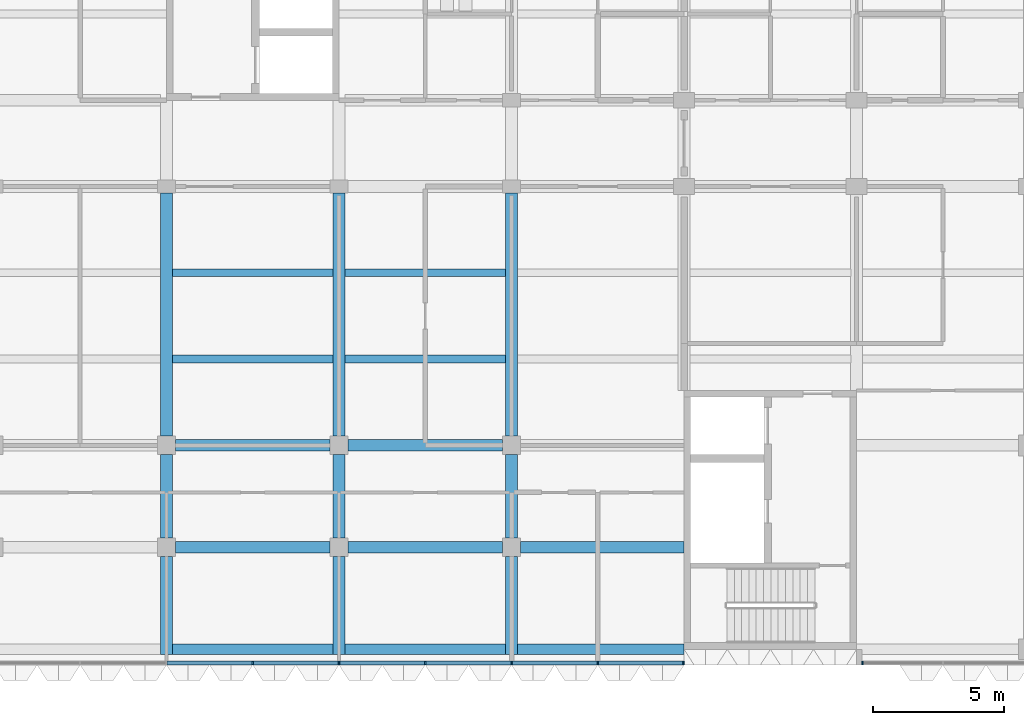
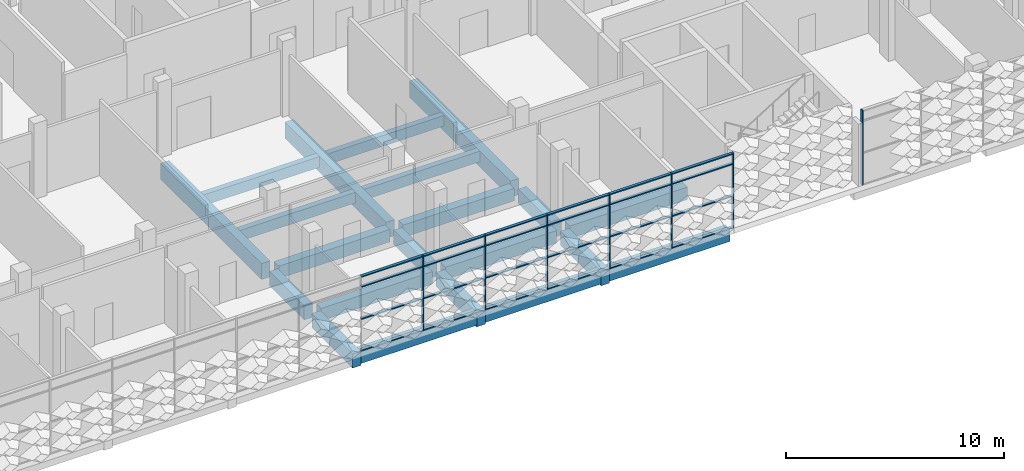
# One storey, part 6 of 61: 31 members, 21 beams, 2 elements without a shape of their own.
"""IFC4 building model written with IfcOpenShell, lengths in metres."""

from ifc_helpers import new_model, si_unit, direction, frame, origin, origin_2d, place, context, subcontext, project, spatial, rectangle, extrude, material, material_profile, profile_set, type_object, element, aggregate, save


model = new_model("IFC4")

# Units and contexts
model_context = context("Model", 3, precision=1e-05, world=origin(), true_north=direction((0.0, 1.0)))
body_context = subcontext(model_context, "Body", "Model", "MODEL_VIEW")
ifc_project = project(units=[si_unit("LENGTHUNIT", "METRE"), si_unit("AREAUNIT", "SQUARE_METRE"), si_unit("VOLUMEUNIT", "CUBIC_METRE"), si_unit("PLANEANGLEUNIT", "RADIAN"), si_unit("MASSUNIT", "GRAM", prefix="KILO")], contexts=[model_context])

# Site, building, storey
site_placement = place(None, origin())
site = spatial("IfcSite", under=ifc_project, at=site_placement, CompositionType="ELEMENT")
building_placement = place(site_placement, origin())
building = spatial("IfcBuilding", under=site, at=building_placement, Name="Lantern Court Research Institute", CompositionType="ELEMENT")
storey_placement = place(building_placement, frame((0.0, 0.0, 23.39990234375)))
storey = spatial("IfcBuildingStorey", under=building, at=storey_placement, Name="L05", CompositionType="ELEMENT", Elevation=23.39990234375)

# Curtain wall, members
ifc_material_1 = material(Name="Aluminium alloy 6063-T6", Category="aluminium")
curtain_wall_type_1 = type_object("IfcCurtainWallType", Name="Curtain wall 53400 x 4200 x 150 aluminium frame", PredefinedType="NOTDEFINED", material=ifc_material_1)
curtain_wall_1_placement = place(storey_placement, origin())
curtain_wall_1 = element("IfcCurtainWall", 1, at=curtain_wall_1_placement, inside=storey, type_object=curtain_wall_type_1, Name="Curtain wall CW072", PredefinedType="NOTDEFINED")
ifc_material_2 = material(Name="Aluminium alloy 6063-T6", Category="aluminium")
ifc_material_profile_1 = material_profile(ifc_material_2, rectangle(XDim=0.14990234375, YDim=0.06005859375, at=origin_2d()), Name="Mullion 150 x 60")
ifc_profile_set_1 = profile_set([ifc_material_profile_1], Name="Aluminium alloy 6063-T6")
member_type_1 = type_object("IfcMemberType", Name="Mullion 150 x 60 aluminium", PredefinedType="MULLION", material=ifc_profile_set_1)
member_1_placement = place(storey_placement, frame((36.300048828125, -8.324951171875, 0.0), z_axis=(0.0, 0.0, 1.0), x_axis=(0.0, -1.0, 0.0)))
member_1 = element("IfcMember", 2, at=member_1_placement, type_object=member_type_1, Name="CW072 mullion 12", PredefinedType="MULLION", context=body_context, shape_type="SweptSolid", body=[
    extrude(rectangle(XDim=0.14990234375, YDim=0.06005859375, at=origin_2d()), origin(), (0.0, 0.0, 1.0), 4.2001953125),
])
member_2_placement = place(storey_placement, frame((39.60009765625, -8.324951171875, 0.0), z_axis=(0.0, 0.0, 1.0), x_axis=(0.0, -1.0, 0.0)))
member_2 = element("IfcMember", 3, at=member_2_placement, type_object=member_type_1, Name="CW072 mullion 13", PredefinedType="MULLION", context=body_context, shape_type="SweptSolid", body=[
    extrude(rectangle(XDim=0.14990234375, YDim=0.06005859375, at=origin_2d()), origin(), (0.0, 0.0, 1.0), 4.2001953125),
])
member_3_placement = place(storey_placement, frame((42.89990234375, -8.324951171875, 0.0), z_axis=(0.0, 0.0, 1.0), x_axis=(0.0, -1.0, 0.0)))
member_3 = element("IfcMember", 4, at=member_3_placement, type_object=member_type_1, Name="CW072 mullion 14", PredefinedType="MULLION", context=body_context, shape_type="SweptSolid", body=[
    extrude(rectangle(XDim=0.14990234375, YDim=0.06005859375, at=origin_2d()), origin(), (0.0, 0.0, 1.0), 4.2001953125),
])
member_4_placement = place(storey_placement, frame((46.199951171875, -8.324951171875, 0.0), z_axis=(0.0, 0.0, 1.0), x_axis=(0.0, -1.0, 0.0)))
member_4 = element("IfcMember", 5, at=member_4_placement, type_object=member_type_1, Name="CW072 mullion 15", PredefinedType="MULLION", context=body_context, shape_type="SweptSolid", body=[
    extrude(rectangle(XDim=0.14990234375, YDim=0.06005859375, at=origin_2d()), origin(), (0.0, 0.0, 1.0), 4.2001953125),
])
member_5_placement = place(storey_placement, frame((49.5, -8.324951171875, 0.0), z_axis=(0.0, 0.0, 1.0), x_axis=(0.0, -1.0, 0.0)))
member_5 = element("IfcMember", 6, at=member_5_placement, type_object=member_type_1, Name="CW072 mullion 16", PredefinedType="MULLION", context=body_context, shape_type="SweptSolid", body=[
    extrude(rectangle(XDim=0.14990234375, YDim=0.06005859375, at=origin_2d()), origin(), (0.0, 0.0, 1.0), 4.2001953125),
])
member_6_placement = place(storey_placement, frame((52.77001953125, -8.324951171875, 0.0), z_axis=(0.0, 0.0, 1.0), x_axis=(0.0, -1.0, 0.0)))
member_6 = element("IfcMember", 7, at=member_6_placement, type_object=member_type_1, Name="CW072 mullion 17", PredefinedType="MULLION", context=body_context, shape_type="SweptSolid", body=[
    extrude(rectangle(XDim=0.14990234375, YDim=0.06005859375, at=origin_2d()), origin(), (0.0, 0.0, 1.0), 4.2001953125),
])

# Curtain wall, member
ifc_material_3 = material(Name="Aluminium alloy 6063-T6", Category="aluminium")
curtain_wall_type_2 = type_object("IfcCurtainWallType", Name="Curtain wall 20200 x 4200 x 150 aluminium frame", PredefinedType="NOTDEFINED", material=ifc_material_3)
curtain_wall_2_placement = place(storey_placement, origin())
curtain_wall_2 = element("IfcCurtainWall", 8, at=curtain_wall_2_placement, inside=storey, type_object=curtain_wall_type_2, Name="Curtain wall CW076", PredefinedType="NOTDEFINED")
member_7_placement = place(storey_placement, frame((59.6298828125, -8.324951171875, 0.0), z_axis=(0.0, 0.0, 1.0), x_axis=(0.0, -1.0, 0.0)))
member_7 = element("IfcMember", 9, at=member_7_placement, type_object=member_type_1, Name="CW076 mullion 1", PredefinedType="MULLION", context=body_context, shape_type="SweptSolid", body=[
    extrude(rectangle(XDim=0.14990234375, YDim=0.06005859375, at=origin_2d()), origin(), (0.0, 0.0, 1.0), 4.2001953125),
])
aggregate(curtain_wall_2, [member_7])

# Beams
ifc_material_4 = material(Name="Concrete C40/50", Category="concrete")
ifc_material_profile_2 = material_profile(ifc_material_4, rectangle(XDim=0.449951171875, YDim=0.699951171875, at=origin_2d()), Name="RC beam 450 x 700")
ifc_profile_set_2 = profile_set([ifc_material_profile_2], Name="Concrete C40/50")
beam_type_1 = type_object("IfcBeamType", Name="RC beam 450 x 700", PredefinedType="BEAM", material=ifc_profile_set_2)
beam_1_placement = place(storey_placement, frame((33.35009765625, -3.89990234375, -0.64990234375), z_axis=(1.0, 0.0, 0.0), x_axis=(0.0, 1.0, 0.0)))
element("IfcBeam", 10, at=beam_1_placement, inside=storey, type_object=beam_type_1, Name="Beam L05 grid Y/6-7", PredefinedType="BEAM", context=body_context, shape_type="SweptSolid", body=[
    extrude(rectangle(XDim=0.449951171875, YDim=0.699951171875, at=origin_2d()), origin(), (0.0, 0.0, 1.0), 5.89990234375),
])
beam_2_placement = place(storey_placement, frame((39.949951171875, -3.89990234375, -0.64990234375), z_axis=(1.0, 0.0, 0.0), x_axis=(0.0, 1.0, 0.0)))
element("IfcBeam", 11, at=beam_2_placement, inside=storey, type_object=beam_type_1, Name="Beam L05 grid Y/7-8", PredefinedType="BEAM", context=body_context, shape_type="SweptSolid", body=[
    extrude(rectangle(XDim=0.449951171875, YDim=0.699951171875, at=origin_2d()), origin(), (0.0, 0.0, 1.0), 5.900146484375),
])
beam_3_placement = place(storey_placement, frame((46.550048828125, -3.89990234375, -0.64990234375), z_axis=(1.0, 0.0, 0.0), x_axis=(0.0, 1.0, 0.0)))
element("IfcBeam", 12, at=beam_3_placement, inside=storey, type_object=beam_type_1, Name="Beam L05 grid Y/8-9", PredefinedType="BEAM", context=body_context, shape_type="SweptSolid", body=[
    extrude(rectangle(XDim=0.449951171875, YDim=0.699951171875, at=origin_2d()), origin(), (0.0, 0.0, 1.0), 6.25),
])
beam_4_placement = place(storey_placement, frame((33.35009765625, 0.0, -0.64990234375), z_axis=(1.0, 0.0, 0.0), x_axis=(0.0, 1.0, 0.0)))
element("IfcBeam", 13, at=beam_4_placement, inside=storey, type_object=beam_type_1, Name="Beam L05 grid A/6-7", PredefinedType="BEAM", context=body_context, shape_type="SweptSolid", body=[
    extrude(rectangle(XDim=0.449951171875, YDim=0.699951171875, at=origin_2d()), origin(), (0.0, 0.0, 1.0), 5.89990234375),
])
beam_5_placement = place(storey_placement, frame((39.949951171875, 0.0, -0.64990234375), z_axis=(1.0, 0.0, 0.0), x_axis=(0.0, 1.0, 0.0)))
element("IfcBeam", 14, at=beam_5_placement, inside=storey, type_object=beam_type_1, Name="Beam L05 grid A/7-8", PredefinedType="BEAM", context=body_context, shape_type="SweptSolid", body=[
    extrude(rectangle(XDim=0.449951171875, YDim=0.699951171875, at=origin_2d()), origin(), (0.0, 0.0, 1.0), 5.900146484375),
])
ifc_material_5 = material(Name="Concrete C40/50", Category="concrete")
ifc_material_profile_3 = material_profile(ifc_material_5, rectangle(XDim=0.449951171875, YDim=0.800048828125, at=origin_2d()), Name="RC beam 450 x 800")
ifc_profile_set_3 = profile_set([ifc_material_profile_3], Name="Concrete C40/50")
beam_type_2 = type_object("IfcBeamType", Name="RC cantilever beam 450 x 800", PredefinedType="BEAM", material=ifc_profile_set_3)
for number, where, z_axis, x_axis, name in (
    (15, (33.0, -4.25, -0.699951171875), (0.0, -1.0, 0.0), (1.0, 0.0, 0.0), "Cantilever beam L05 grid 6/Y-tip"),
    (16, (39.60009765625, -4.25, -0.699951171875), (0.0, -1.0, 0.0), (1.0, 0.0, 0.0), "Cantilever beam L05 grid 7/Y-tip"),
    (17, (46.199951171875, -4.25, -0.699951171875), (0.0, -1.0, 0.0), (1.0, 0.0, 0.0), "Cantilever beam L05 grid 8/Y-tip"),
):
    element("IfcBeam", number, at=place(storey_placement, frame(where, z_axis=z_axis, x_axis=x_axis)), inside=storey, type_object=beam_type_2, Name=name, PredefinedType="BEAM", context=body_context, shape_type="SweptSolid", body=[
        extrude(rectangle(XDim=0.449951171875, YDim=0.800048828125, at=origin_2d()), origin(), (0.0, 0.0, 1.0), 3.75),
    ])
ifc_material_6 = material(Name="Concrete C40/50", Category="concrete")
ifc_material_profile_4 = material_profile(ifc_material_6, rectangle(XDim=0.39990234375, YDim=0.699951171875, at=origin_2d()), Name="RC beam 400 x 700")
ifc_profile_set_4 = profile_set([ifc_material_profile_4], Name="Concrete C40/50")
beam_type_3 = type_object("IfcBeamType", Name="RC edge beam 400 x 700", PredefinedType="BEAM", material=ifc_profile_set_4)
beam_6_placement = place(storey_placement, frame((33.22509765625, -7.800048828125, -0.64990234375), z_axis=(1.0, 0.0, 0.0), x_axis=(0.0, 1.0, 0.0)))
element("IfcBeam", 18, at=beam_6_placement, inside=storey, type_object=beam_type_3, Name="Edge beam L05 grid tip/6-7", PredefinedType="BEAM", context=body_context, shape_type="SweptSolid", body=[
    extrude(rectangle(XDim=0.39990234375, YDim=0.699951171875, at=origin_2d()), origin(), (0.0, 0.0, 1.0), 6.14990234375),
])
beam_7_placement = place(storey_placement, frame((39.824951171875, -7.800048828125, -0.64990234375), z_axis=(1.0, 0.0, 0.0), x_axis=(0.0, 1.0, 0.0)))
element("IfcBeam", 19, at=beam_7_placement, inside=storey, type_object=beam_type_3, Name="Edge beam L05 grid tip/7-8", PredefinedType="BEAM", context=body_context, shape_type="SweptSolid", body=[
    extrude(rectangle(XDim=0.39990234375, YDim=0.699951171875, at=origin_2d()), origin(), (0.0, 0.0, 1.0), 6.150146484375),
])
beam_8_placement = place(storey_placement, frame((46.425048828125, -7.800048828125, -0.64990234375), z_axis=(1.0, 0.0, 0.0), x_axis=(0.0, 1.0, 0.0)))
element("IfcBeam", 20, at=beam_8_placement, inside=storey, type_object=beam_type_3, Name="Edge beam L05 grid tip/8-9", PredefinedType="BEAM", context=body_context, shape_type="SweptSolid", body=[
    extrude(rectangle(XDim=0.39990234375, YDim=0.699951171875, at=origin_2d()), origin(), (0.0, 0.0, 1.0), 6.375),
])
ifc_material_7 = material(Name="Concrete C40/50", Category="concrete")
ifc_material_profile_5 = material_profile(ifc_material_7, rectangle(XDim=0.449951171875, YDim=0.800048828125, at=origin_2d()), Name="RC beam 450 x 800")
ifc_profile_set_5 = profile_set([ifc_material_profile_5], Name="Concrete C40/50")
beam_type_4 = type_object("IfcBeamType", Name="RC girder 450 x 800", PredefinedType="BEAM", material=ifc_profile_set_5)
for number, where, z_axis, x_axis, name in (
    (21, (33.0, -3.550048828125, -0.699951171875), (0.0, 1.0, 0.0), (-1.0, 0.0, 0.0), "Girder L05 grid 6/Y-A"),
    (22, (39.60009765625, -3.550048828125, -0.699951171875), (0.0, 1.0, 0.0), (-1.0, 0.0, 0.0), "Girder L05 grid 7/Y-A"),
    (23, (46.199951171875, -3.550048828125, -0.699951171875), (0.0, 1.0, 0.0), (-1.0, 0.0, 0.0), "Girder L05 grid 8/Y-A"),
):
    element("IfcBeam", number, at=place(storey_placement, frame(where, z_axis=z_axis, x_axis=x_axis)), inside=storey, type_object=beam_type_4, Name=name, PredefinedType="BEAM", context=body_context, shape_type="SweptSolid", body=[
        extrude(rectangle(XDim=0.449951171875, YDim=0.800048828125, at=origin_2d()), origin(), (0.0, 0.0, 1.0), 3.199951171875),
    ])
ifc_material_8 = material(Name="Concrete C40/50", Category="concrete")
ifc_material_profile_6 = material_profile(ifc_material_8, rectangle(XDim=0.449951171875, YDim=0.89990234375, at=origin_2d()), Name="RC beam 450 x 900")
ifc_profile_set_6 = profile_set([ifc_material_profile_6], Name="Concrete C40/50")
beam_type_5 = type_object("IfcBeamType", Name="RC girder 450 x 900", PredefinedType="BEAM", material=ifc_profile_set_6)
for number, where, z_axis, x_axis, name in (
    (24, (33.0, 0.35009765625, -0.75), (0.0, 1.0, 0.0), (-1.0, 0.0, 0.0), "Girder L05 grid 6/A-B"),
    (25, (39.60009765625, 0.35009765625, -0.75), (0.0, 1.0, 0.0), (-1.0, 0.0, 0.0), "Girder L05 grid 7/A-B"),
    (26, (46.199951171875, 0.35009765625, -0.75), (0.0, 1.0, 0.0), (-1.0, 0.0, 0.0), "Girder L05 grid 8/A-B"),
):
    element("IfcBeam", number, at=place(storey_placement, frame(where, z_axis=z_axis, x_axis=x_axis)), inside=storey, type_object=beam_type_5, Name=name, PredefinedType="BEAM", context=body_context, shape_type="SweptSolid", body=[
        extrude(rectangle(XDim=0.449951171875, YDim=0.89990234375, at=origin_2d()), origin(), (0.0, 0.0, 1.0), 9.2998046875),
    ])
ifc_material_9 = material(Name="Concrete C40/50", Category="concrete")
ifc_material_profile_7 = material_profile(ifc_material_9, rectangle(XDim=0.300048828125, YDim=0.60009765625, at=origin_2d()), Name="RC beam 300 x 600")
ifc_profile_set_7 = profile_set([ifc_material_profile_7], Name="Concrete C40/50")
beam_type_6 = type_object("IfcBeamType", Name="RC secondary beam 300 x 600", PredefinedType="BEAM", material=ifc_profile_set_7)
beam_9_placement = place(storey_placement, frame((33.22509765625, 3.300048828125, -0.599853515625), z_axis=(1.0, 0.0, 0.0), x_axis=(0.0, 1.0, 0.0)))
element("IfcBeam", 27, at=beam_9_placement, inside=storey, type_object=beam_type_6, Name="Secondary beam L05 grids 6-7 / A-B, line 1", PredefinedType="BEAM", context=body_context, shape_type="SweptSolid", body=[
    extrude(rectangle(XDim=0.300048828125, YDim=0.60009765625, at=origin_2d()), origin(), (0.0, 0.0, 1.0), 6.14990234375),
])
beam_10_placement = place(storey_placement, frame((39.824951171875, 3.300048828125, -0.599853515625), z_axis=(1.0, 0.0, 0.0), x_axis=(0.0, 1.0, 0.0)))
element("IfcBeam", 28, at=beam_10_placement, inside=storey, type_object=beam_type_6, Name="Secondary beam L05 grids 7-8 / A-B, line 1", PredefinedType="BEAM", context=body_context, shape_type="SweptSolid", body=[
    extrude(rectangle(XDim=0.300048828125, YDim=0.60009765625, at=origin_2d()), origin(), (0.0, 0.0, 1.0), 6.150146484375),
])
beam_11_placement = place(storey_placement, frame((33.22509765625, 6.60009765625, -0.599853515625), z_axis=(1.0, 0.0, 0.0), x_axis=(0.0, 1.0, 0.0)))
element("IfcBeam", 29, at=beam_11_placement, inside=storey, type_object=beam_type_6, Name="Secondary beam L05 grids 6-7 / A-B, line 2", PredefinedType="BEAM", context=body_context, shape_type="SweptSolid", body=[
    extrude(rectangle(XDim=0.300048828125, YDim=0.60009765625, at=origin_2d()), origin(), (0.0, 0.0, 1.0), 6.14990234375),
])
beam_12_placement = place(storey_placement, frame((39.824951171875, 6.60009765625, -0.599853515625), z_axis=(1.0, 0.0, 0.0), x_axis=(0.0, 1.0, 0.0)))
element("IfcBeam", 30, at=beam_12_placement, inside=storey, type_object=beam_type_6, Name="Secondary beam L05 grids 7-8 / A-B, line 2", PredefinedType="BEAM", context=body_context, shape_type="SweptSolid", body=[
    extrude(rectangle(XDim=0.300048828125, YDim=0.60009765625, at=origin_2d()), origin(), (0.0, 0.0, 1.0), 6.150146484375),
])

# Member
ifc_material_10 = material(Name="Aluminium alloy 6063-T6", Category="aluminium")
ifc_material_profile_8 = material_profile(ifc_material_10, rectangle(XDim=0.14990234375, YDim=0.06005859375, at=origin_2d()), Name="Transom 150 x 60")
ifc_profile_set_8 = profile_set([ifc_material_profile_8], Name="Aluminium alloy 6063-T6")
member_type_2 = type_object("IfcMemberType", Name="Transom 150 x 60 aluminium", PredefinedType="USERDEFINED", material=ifc_profile_set_8)
member_8_placement = place(storey_placement, frame((36.27001953125, -8.324951171875, 0.030029296875), z_axis=(-1.0, 0.0, 0.0), x_axis=(0.0, -1.0, 0.0)))
member_8 = element("IfcMember", 31, at=member_8_placement, type_object=member_type_2, Name="CW072 transom 11.1", ObjectType="TRANSOM", PredefinedType="USERDEFINED", context=body_context, shape_type="SweptSolid", body=[
    extrude(rectangle(XDim=0.14990234375, YDim=0.06005859375, at=origin_2d()), origin(), (0.0, 0.0, 1.0), 3.239990234375),
])

member_9_placement = place(storey_placement, frame((36.27001953125, -8.324951171875, 1.800048828125), z_axis=(-1.0, 0.0, 0.0), x_axis=(0.0, -1.0, 0.0)))
member_9 = element("IfcMember", 32, at=member_9_placement, type_object=member_type_2, Name="CW072 transom 11.2", ObjectType="TRANSOM", PredefinedType="USERDEFINED", context=body_context, shape_type="SweptSolid", body=[
    extrude(rectangle(XDim=0.14990234375, YDim=0.06005859375, at=origin_2d()), origin(), (0.0, 0.0, 1.0), 3.239990234375),
])

member_10_placement = place(storey_placement, frame((36.27001953125, -8.324951171875, 3.60009765625), z_axis=(-1.0, 0.0, 0.0), x_axis=(0.0, -1.0, 0.0)))
member_10 = element("IfcMember", 33, at=member_10_placement, type_object=member_type_2, Name="CW072 transom 11.3", ObjectType="TRANSOM", PredefinedType="USERDEFINED", context=body_context, shape_type="SweptSolid", body=[
    extrude(rectangle(XDim=0.14990234375, YDim=0.06005859375, at=origin_2d()), origin(), (0.0, 0.0, 1.0), 3.239990234375),
])

member_11_placement = place(storey_placement, frame((36.27001953125, -8.324951171875, 4.170166015625), z_axis=(-1.0, 0.0, 0.0), x_axis=(0.0, -1.0, 0.0)))
member_11 = element("IfcMember", 34, at=member_11_placement, type_object=member_type_2, Name="CW072 transom 11.4", ObjectType="TRANSOM", PredefinedType="USERDEFINED", context=body_context, shape_type="SweptSolid", body=[
    extrude(rectangle(XDim=0.14990234375, YDim=0.06005859375, at=origin_2d()), origin(), (0.0, 0.0, 1.0), 3.239990234375),
])

member_12_placement = place(storey_placement, frame((39.570068359375, -8.324951171875, 0.030029296875), z_axis=(-1.0, 0.0, 0.0), x_axis=(0.0, -1.0, 0.0)))
member_12 = element("IfcMember", 35, at=member_12_placement, type_object=member_type_2, Name="CW072 transom 12.1", ObjectType="TRANSOM", PredefinedType="USERDEFINED", context=body_context, shape_type="SweptSolid", body=[
    extrude(rectangle(XDim=0.14990234375, YDim=0.06005859375, at=origin_2d()), origin(), (0.0, 0.0, 1.0), 3.239990234375),
])

member_13_placement = place(storey_placement, frame((39.570068359375, -8.324951171875, 1.800048828125), z_axis=(-1.0, 0.0, 0.0), x_axis=(0.0, -1.0, 0.0)))
member_13 = element("IfcMember", 36, at=member_13_placement, type_object=member_type_2, Name="CW072 transom 12.2", ObjectType="TRANSOM", PredefinedType="USERDEFINED", context=body_context, shape_type="SweptSolid", body=[
    extrude(rectangle(XDim=0.14990234375, YDim=0.06005859375, at=origin_2d()), origin(), (0.0, 0.0, 1.0), 3.239990234375),
])

member_14_placement = place(storey_placement, frame((39.570068359375, -8.324951171875, 3.60009765625), z_axis=(-1.0, 0.0, 0.0), x_axis=(0.0, -1.0, 0.0)))
member_14 = element("IfcMember", 37, at=member_14_placement, type_object=member_type_2, Name="CW072 transom 12.3", ObjectType="TRANSOM", PredefinedType="USERDEFINED", context=body_context, shape_type="SweptSolid", body=[
    extrude(rectangle(XDim=0.14990234375, YDim=0.06005859375, at=origin_2d()), origin(), (0.0, 0.0, 1.0), 3.239990234375),
])

member_15_placement = place(storey_placement, frame((39.570068359375, -8.324951171875, 4.170166015625), z_axis=(-1.0, 0.0, 0.0), x_axis=(0.0, -1.0, 0.0)))
member_15 = element("IfcMember", 38, at=member_15_placement, type_object=member_type_2, Name="CW072 transom 12.4", ObjectType="TRANSOM", PredefinedType="USERDEFINED", context=body_context, shape_type="SweptSolid", body=[
    extrude(rectangle(XDim=0.14990234375, YDim=0.06005859375, at=origin_2d()), origin(), (0.0, 0.0, 1.0), 3.239990234375),
])

member_16_placement = place(storey_placement, frame((42.8701171875, -8.324951171875, 0.030029296875), z_axis=(-1.0, 0.0, 0.0), x_axis=(0.0, -1.0, 0.0)))
member_16 = element("IfcMember", 39, at=member_16_placement, type_object=member_type_2, Name="CW072 transom 13.1", ObjectType="TRANSOM", PredefinedType="USERDEFINED", context=body_context, shape_type="SweptSolid", body=[
    extrude(rectangle(XDim=0.14990234375, YDim=0.06005859375, at=origin_2d()), origin(), (0.0, 0.0, 1.0), 3.240234375),
])

member_17_placement = place(storey_placement, frame((42.8701171875, -8.324951171875, 1.800048828125), z_axis=(-1.0, 0.0, 0.0), x_axis=(0.0, -1.0, 0.0)))
member_17 = element("IfcMember", 40, at=member_17_placement, type_object=member_type_2, Name="CW072 transom 13.2", ObjectType="TRANSOM", PredefinedType="USERDEFINED", context=body_context, shape_type="SweptSolid", body=[
    extrude(rectangle(XDim=0.14990234375, YDim=0.06005859375, at=origin_2d()), origin(), (0.0, 0.0, 1.0), 3.240234375),
])

member_18_placement = place(storey_placement, frame((42.8701171875, -8.324951171875, 3.60009765625), z_axis=(-1.0, 0.0, 0.0), x_axis=(0.0, -1.0, 0.0)))
member_18 = element("IfcMember", 41, at=member_18_placement, type_object=member_type_2, Name="CW072 transom 13.3", ObjectType="TRANSOM", PredefinedType="USERDEFINED", context=body_context, shape_type="SweptSolid", body=[
    extrude(rectangle(XDim=0.14990234375, YDim=0.06005859375, at=origin_2d()), origin(), (0.0, 0.0, 1.0), 3.240234375),
])

member_19_placement = place(storey_placement, frame((42.8701171875, -8.324951171875, 4.170166015625), z_axis=(-1.0, 0.0, 0.0), x_axis=(0.0, -1.0, 0.0)))
member_19 = element("IfcMember", 42, at=member_19_placement, type_object=member_type_2, Name="CW072 transom 13.4", ObjectType="TRANSOM", PredefinedType="USERDEFINED", context=body_context, shape_type="SweptSolid", body=[
    extrude(rectangle(XDim=0.14990234375, YDim=0.06005859375, at=origin_2d()), origin(), (0.0, 0.0, 1.0), 3.240234375),
])

member_20_placement = place(storey_placement, frame((46.169921875, -8.324951171875, 0.030029296875), z_axis=(-1.0, 0.0, 0.0), x_axis=(0.0, -1.0, 0.0)))
member_20 = element("IfcMember", 43, at=member_20_placement, type_object=member_type_2, Name="CW072 transom 14.1", ObjectType="TRANSOM", PredefinedType="USERDEFINED", context=body_context, shape_type="SweptSolid", body=[
    extrude(rectangle(XDim=0.14990234375, YDim=0.06005859375, at=origin_2d()), origin(), (0.0, 0.0, 1.0), 3.239990234375),
])

member_21_placement = place(storey_placement, frame((46.169921875, -8.324951171875, 1.800048828125), z_axis=(-1.0, 0.0, 0.0), x_axis=(0.0, -1.0, 0.0)))
member_21 = element("IfcMember", 44, at=member_21_placement, type_object=member_type_2, Name="CW072 transom 14.2", ObjectType="TRANSOM", PredefinedType="USERDEFINED", context=body_context, shape_type="SweptSolid", body=[
    extrude(rectangle(XDim=0.14990234375, YDim=0.06005859375, at=origin_2d()), origin(), (0.0, 0.0, 1.0), 3.239990234375),
])

member_22_placement = place(storey_placement, frame((46.169921875, -8.324951171875, 3.60009765625), z_axis=(-1.0, 0.0, 0.0), x_axis=(0.0, -1.0, 0.0)))
member_22 = element("IfcMember", 45, at=member_22_placement, type_object=member_type_2, Name="CW072 transom 14.3", ObjectType="TRANSOM", PredefinedType="USERDEFINED", context=body_context, shape_type="SweptSolid", body=[
    extrude(rectangle(XDim=0.14990234375, YDim=0.06005859375, at=origin_2d()), origin(), (0.0, 0.0, 1.0), 3.239990234375),
])

member_23_placement = place(storey_placement, frame((46.169921875, -8.324951171875, 4.170166015625), z_axis=(-1.0, 0.0, 0.0), x_axis=(0.0, -1.0, 0.0)))
member_23 = element("IfcMember", 46, at=member_23_placement, type_object=member_type_2, Name="CW072 transom 14.4", ObjectType="TRANSOM", PredefinedType="USERDEFINED", context=body_context, shape_type="SweptSolid", body=[
    extrude(rectangle(XDim=0.14990234375, YDim=0.06005859375, at=origin_2d()), origin(), (0.0, 0.0, 1.0), 3.239990234375),
])

member_24_placement = place(storey_placement, frame((49.469970703125, -8.324951171875, 0.030029296875), z_axis=(-1.0, 0.0, 0.0), x_axis=(0.0, -1.0, 0.0)))
member_24 = element("IfcMember", 47, at=member_24_placement, type_object=member_type_2, Name="CW072 transom 15.1", ObjectType="TRANSOM", PredefinedType="USERDEFINED", context=body_context, shape_type="SweptSolid", body=[
    extrude(rectangle(XDim=0.14990234375, YDim=0.06005859375, at=origin_2d()), origin(), (0.0, 0.0, 1.0), 3.239990234375),
])

member_25_placement = place(storey_placement, frame((49.469970703125, -8.324951171875, 1.800048828125), z_axis=(-1.0, 0.0, 0.0), x_axis=(0.0, -1.0, 0.0)))
member_25 = element("IfcMember", 48, at=member_25_placement, type_object=member_type_2, Name="CW072 transom 15.2", ObjectType="TRANSOM", PredefinedType="USERDEFINED", context=body_context, shape_type="SweptSolid", body=[
    extrude(rectangle(XDim=0.14990234375, YDim=0.06005859375, at=origin_2d()), origin(), (0.0, 0.0, 1.0), 3.239990234375),
])

member_26_placement = place(storey_placement, frame((49.469970703125, -8.324951171875, 3.60009765625), z_axis=(-1.0, 0.0, 0.0), x_axis=(0.0, -1.0, 0.0)))
member_26 = element("IfcMember", 49, at=member_26_placement, type_object=member_type_2, Name="CW072 transom 15.3", ObjectType="TRANSOM", PredefinedType="USERDEFINED", context=body_context, shape_type="SweptSolid", body=[
    extrude(rectangle(XDim=0.14990234375, YDim=0.06005859375, at=origin_2d()), origin(), (0.0, 0.0, 1.0), 3.239990234375),
])

member_27_placement = place(storey_placement, frame((49.469970703125, -8.324951171875, 4.170166015625), z_axis=(-1.0, 0.0, 0.0), x_axis=(0.0, -1.0, 0.0)))
member_27 = element("IfcMember", 50, at=member_27_placement, type_object=member_type_2, Name="CW072 transom 15.4", ObjectType="TRANSOM", PredefinedType="USERDEFINED", context=body_context, shape_type="SweptSolid", body=[
    extrude(rectangle(XDim=0.14990234375, YDim=0.06005859375, at=origin_2d()), origin(), (0.0, 0.0, 1.0), 3.239990234375),
])

member_28_placement = place(storey_placement, frame((52.739990234375, -8.324951171875, 0.030029296875), z_axis=(-1.0, 0.0, 0.0), x_axis=(0.0, -1.0, 0.0)))
member_28 = element("IfcMember", 51, at=member_28_placement, type_object=member_type_2, Name="CW072 transom 16.1", ObjectType="TRANSOM", PredefinedType="USERDEFINED", context=body_context, shape_type="SweptSolid", body=[
    extrude(rectangle(XDim=0.14990234375, YDim=0.06005859375, at=origin_2d()), origin(), (0.0, 0.0, 1.0), 3.2099609375),
])

member_29_placement = place(storey_placement, frame((52.739990234375, -8.324951171875, 1.800048828125), z_axis=(-1.0, 0.0, 0.0), x_axis=(0.0, -1.0, 0.0)))
member_29 = element("IfcMember", 52, at=member_29_placement, type_object=member_type_2, Name="CW072 transom 16.2", ObjectType="TRANSOM", PredefinedType="USERDEFINED", context=body_context, shape_type="SweptSolid", body=[
    extrude(rectangle(XDim=0.14990234375, YDim=0.06005859375, at=origin_2d()), origin(), (0.0, 0.0, 1.0), 3.2099609375),
])

member_30_placement = place(storey_placement, frame((52.739990234375, -8.324951171875, 3.60009765625), z_axis=(-1.0, 0.0, 0.0), x_axis=(0.0, -1.0, 0.0)))
member_30 = element("IfcMember", 53, at=member_30_placement, type_object=member_type_2, Name="CW072 transom 16.3", ObjectType="TRANSOM", PredefinedType="USERDEFINED", context=body_context, shape_type="SweptSolid", body=[
    extrude(rectangle(XDim=0.14990234375, YDim=0.06005859375, at=origin_2d()), origin(), (0.0, 0.0, 1.0), 3.2099609375),
])

member_31_placement = place(storey_placement, frame((52.739990234375, -8.324951171875, 4.170166015625), z_axis=(-1.0, 0.0, 0.0), x_axis=(0.0, -1.0, 0.0)))
member_31 = element("IfcMember", 54, at=member_31_placement, type_object=member_type_2, Name="CW072 transom 16.4", ObjectType="TRANSOM", PredefinedType="USERDEFINED", context=body_context, shape_type="SweptSolid", body=[
    extrude(rectangle(XDim=0.14990234375, YDim=0.06005859375, at=origin_2d()), origin(), (0.0, 0.0, 1.0), 3.2099609375),
])

aggregate(curtain_wall_1, [member_1, member_2, member_3, member_4, member_5, member_6, member_8, member_9, member_10, member_11, member_12, member_13, member_14, member_15, member_16, member_17, member_18, member_19, member_20, member_21, member_22, member_23, member_24, member_25, member_26, member_27, member_28, member_29, member_30, member_31])

save(model, "model.ifc")
